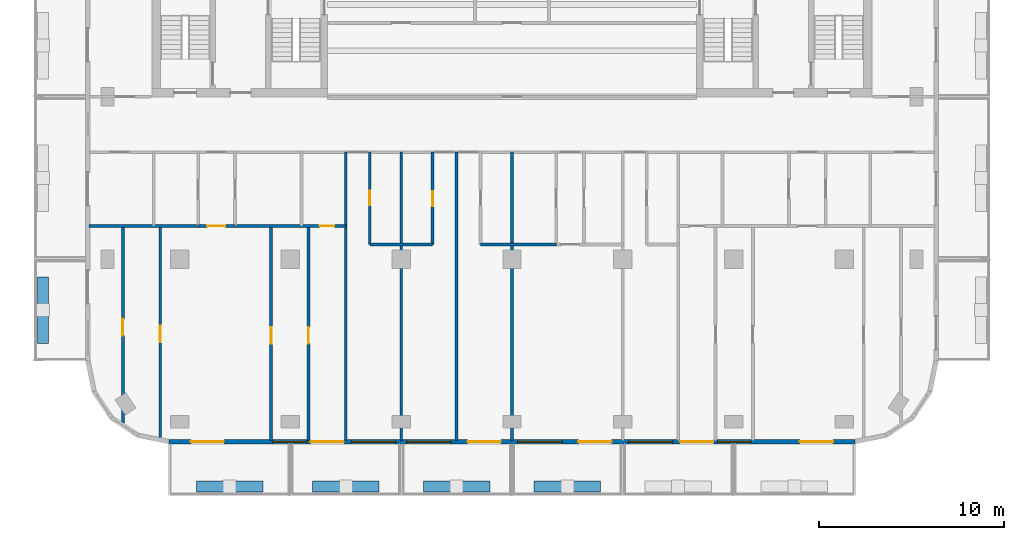
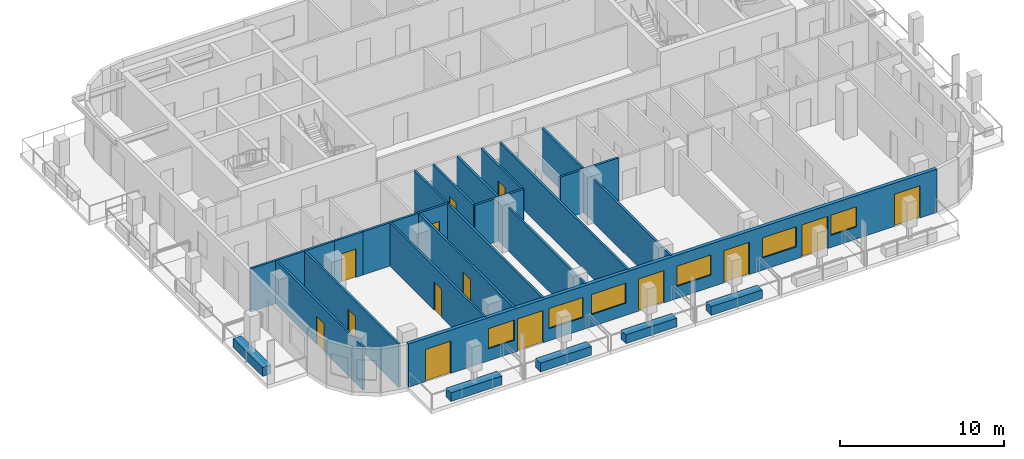
# One storey, part 2 of 11: 21 walls, 14 doors, 6 windows, 20 openings.
"""IFC4 building model written with IfcOpenShell, lengths in metres."""

from ifc_helpers import new_model, si_unit, direction, frame, frame_2d, origin, place, context, subcontext, project, spatial, rectangle, extrude, material, layer, layer_set, type_object, element, fill, save


model = new_model("IFC4")

# Units and contexts
model_context = context("Model", 3, precision=1e-05, world=origin(), true_north=direction((0.0, 1.0)))
body_context = subcontext(model_context, "Body", "Model", "MODEL_VIEW")
ifc_project = project(units=[si_unit("LENGTHUNIT", "METRE"), si_unit("AREAUNIT", "SQUARE_METRE"), si_unit("VOLUMEUNIT", "CUBIC_METRE"), si_unit("PLANEANGLEUNIT", "RADIAN"), si_unit("MASSUNIT", "GRAM", prefix="KILO")], contexts=[model_context])

# Site, building, storey
site_placement = place(None, origin())
site = spatial("IfcSite", under=ifc_project, at=site_placement, CompositionType="ELEMENT")
building_placement = place(site_placement, origin())
building = spatial("IfcBuilding", under=site, at=building_placement, Name="Torana Hotel and Residences", CompositionType="ELEMENT")
storey_placement = place(building_placement, frame((0.0, 0.0, 270.10009765625)))
storey = spatial("IfcBuildingStorey", under=building, at=storey_placement, Name="L71", CompositionType="ELEMENT", Elevation=270.10009765625)

# Wall, openings, doors, windows
ifc_material_1 = material(Name="Black aluminium composite panel", Category="aluminium")
ifc_layer_1 = layer(ifc_material_1, 0.00390625, Name="Cladding", Category="cladding")
ifc_material_2 = material(Name="Ventilated air cavity")
ifc_layer_2 = layer(ifc_material_2, 0.0400390625, Name="Ventilated cavity", Category="cavity")
ifc_material_3 = material(Name="Mineral wool insulation")
ifc_layer_3 = layer(ifc_material_3, 0.090087890625, Name="Insulation", Category="insulation")
ifc_material_4 = material(Name="Steel S280GD", Category="steel")
ifc_layer_4 = layer(ifc_material_4, 0.092041015625, Name="Steel stud frame", Category="structure")
ifc_material_5 = material(Name="Fire rated plasterboard")
ifc_layer_5 = layer(ifc_material_5, 0.011962890625, Name="Inner board", Category="finish")
ifc_layer_6 = layer(ifc_material_5, 0.011962890625, Name="Second board", Category="finish")
ifc_layer_set_1 = layer_set([ifc_layer_1, ifc_layer_2, ifc_layer_3, ifc_layer_4, ifc_layer_5, ifc_layer_6], Name="EW1 EXTERNAL WALL BLACK METAL CLAD 250")
wall_type_1 = type_object("IfcWallType", Name="EW1 EXTERNAL WALL BLACK METAL CLAD 250", PredefinedType="SOLIDWALL", material=ifc_layer_set_1)
wall_1_placement = place(storey_placement, frame((-18.575439453125, -33.675048828125, 0.0), z_axis=(0.0, 0.0, 1.0), x_axis=(1.0, 0.0, 0.0)))
wall_1 = element("IfcWall", 1, at=wall_1_placement, inside=storey, type_object=wall_type_1, Name="External wall L71 e0.14", PredefinedType="SOLIDWALL", context=body_context, shape_type="SweptSolid", body=[
    extrude(rectangle(XDim=37.15087890625, YDim=0.25, at=frame_2d((18.575439453125, 0.0))), origin(), (0.0, 0.0, 1.0), 3.219970703125),
])
opening_1_placement = place(wall_1_placement, frame((1.17529296875, 0.0, 0.0)))
opening_1 = element("IfcOpeningElement", 2, at=opening_1_placement, cuts=wall_1, Name="Opening L71-E01", PredefinedType="OPENING", context=body_context, shape_type="SweptSolid", body=[
    extrude(rectangle(XDim=1.800048828125, YDim=2.39990234375, at=frame_2d((0.89990234375, 1.199951171875))), frame((0.0, 0.135009765625, 0.0), z_axis=(0.0, -1.0, 0.0), x_axis=(1.0, 0.0, 0.0)), (0.0, 0.0, 1.0), 0.27001953125),
])
opening_2_placement = place(wall_1_placement, frame((5.637451171875, 0.0, 0.89990234375)))
opening_2 = element("IfcOpeningElement", 3, at=opening_2_placement, cuts=wall_1, Name="Opening W4", PredefinedType="OPENING", context=body_context, shape_type="SweptSolid", body=[
    extrude(rectangle(XDim=1.800048828125, YDim=1.5, at=frame_2d((0.89990234375, 0.75))), frame((0.0, 0.135009765625, 0.0), z_axis=(0.0, -1.0, 0.0), x_axis=(1.0, 0.0, 0.0)), (0.0, 0.0, 1.0), 0.27001953125),
])
opening_3_placement = place(wall_1_placement, frame((7.663330078125, 0.0, 0.0)))
opening_3 = element("IfcOpeningElement", 4, at=opening_3_placement, cuts=wall_1, Name="Opening L71-E02", PredefinedType="OPENING", context=body_context, shape_type="SweptSolid", body=[
    extrude(rectangle(XDim=1.800048828125, YDim=2.39990234375, at=frame_2d((0.89990234375, 1.199951171875))), frame((0.0, 0.135009765625, 0.0), z_axis=(0.0, -1.0, 0.0), x_axis=(1.0, 0.0, 0.0)), (0.0, 0.0, 1.0), 0.27001953125),
])
opening_4_placement = place(wall_1_placement, frame((9.87548828125, 0.0, 0.89990234375)))
opening_4 = element("IfcOpeningElement", 5, at=opening_4_placement, cuts=wall_1, Name="Opening W3", PredefinedType="OPENING", context=body_context, shape_type="SweptSolid", body=[
    extrude(rectangle(XDim=2.39990234375, YDim=1.5, at=frame_2d((1.199951171875, 0.75))), frame((0.0, 0.135009765625, 0.0), z_axis=(0.0, -1.0, 0.0), x_axis=(1.0, 0.0, 0.0)), (0.0, 0.0, 1.0), 0.27001953125),
])
opening_5_placement = place(wall_1_placement, frame((12.87548828125, 0.0, 0.89990234375)))
opening_5 = element("IfcOpeningElement", 6, at=opening_5_placement, cuts=wall_1, Name="Opening W3", PredefinedType="OPENING", context=body_context, shape_type="SweptSolid", body=[
    extrude(rectangle(XDim=2.39990234375, YDim=1.5, at=frame_2d((1.199951171875, 0.75))), frame((0.0, 0.135009765625, 0.0), z_axis=(0.0, -1.0, 0.0), x_axis=(1.0, 0.0, 0.0)), (0.0, 0.0, 1.0), 0.27001953125),
])
opening_6_placement = place(wall_1_placement, frame((16.17529296875, 0.0, 0.0)))
opening_6 = element("IfcOpeningElement", 7, at=opening_6_placement, cuts=wall_1, Name="Opening L71-E03", PredefinedType="OPENING", context=body_context, shape_type="SweptSolid", body=[
    extrude(rectangle(XDim=1.800048828125, YDim=2.39990234375, at=frame_2d((0.89990234375, 1.199951171875))), frame((0.0, 0.135009765625, 0.0), z_axis=(0.0, -1.0, 0.0), x_axis=(1.0, 0.0, 0.0)), (0.0, 0.0, 1.0), 0.27001953125),
])
opening_7_placement = place(wall_1_placement, frame((18.87548828125, 0.0, 0.89990234375)))
opening_7 = element("IfcOpeningElement", 8, at=opening_7_placement, cuts=wall_1, Name="Opening W3", PredefinedType="OPENING", context=body_context, shape_type="SweptSolid", body=[
    extrude(rectangle(XDim=2.39990234375, YDim=1.5, at=frame_2d((1.199951171875, 0.75))), frame((0.0, 0.135009765625, 0.0), z_axis=(0.0, -1.0, 0.0), x_axis=(1.0, 0.0, 0.0)), (0.0, 0.0, 1.0), 0.27001953125),
])
opening_8_placement = place(wall_1_placement, frame((22.17529296875, 0.0, 0.0)))
opening_8 = element("IfcOpeningElement", 9, at=opening_8_placement, cuts=wall_1, Name="Opening L71-E04", PredefinedType="OPENING", context=body_context, shape_type="SweptSolid", body=[
    extrude(rectangle(XDim=1.800048828125, YDim=2.39990234375, at=frame_2d((0.89990234375, 1.199951171875))), frame((0.0, 0.135009765625, 0.0), z_axis=(0.0, -1.0, 0.0), x_axis=(1.0, 0.0, 0.0)), (0.0, 0.0, 1.0), 0.27001953125),
])
opening_9_placement = place(wall_1_placement, frame((24.87548828125, 0.0, 0.89990234375)))
opening_9 = element("IfcOpeningElement", 10, at=opening_9_placement, cuts=wall_1, Name="Opening W3", PredefinedType="OPENING", context=body_context, shape_type="SweptSolid", body=[
    extrude(rectangle(XDim=2.39990234375, YDim=1.5, at=frame_2d((1.199951171875, 0.75))), frame((0.0, 0.135009765625, 0.0), z_axis=(0.0, -1.0, 0.0), x_axis=(1.0, 0.0, 0.0)), (0.0, 0.0, 1.0), 0.27001953125),
])
opening_10_placement = place(wall_1_placement, frame((27.6875, 0.0, 0.0)))
opening_10 = element("IfcOpeningElement", 11, at=opening_10_placement, cuts=wall_1, Name="Opening L71-E05", PredefinedType="OPENING", context=body_context, shape_type="SweptSolid", body=[
    extrude(rectangle(XDim=1.800048828125, YDim=2.39990234375, at=frame_2d((0.89990234375, 1.199951171875))), frame((0.0, 0.135009765625, 0.0), z_axis=(0.0, -1.0, 0.0), x_axis=(1.0, 0.0, 0.0)), (0.0, 0.0, 1.0), 0.27001953125),
])
opening_11_placement = place(wall_1_placement, frame((29.71337890625, 0.0, 0.89990234375)))
opening_11 = element("IfcOpeningElement", 12, at=opening_11_placement, cuts=wall_1, Name="Opening W4", PredefinedType="OPENING", context=body_context, shape_type="SweptSolid", body=[
    extrude(rectangle(XDim=1.800048828125, YDim=1.5, at=frame_2d((0.89990234375, 0.75))), frame((0.0, 0.135009765625, 0.0), z_axis=(0.0, -1.0, 0.0), x_axis=(1.0, 0.0, 0.0)), (0.0, 0.0, 1.0), 0.27001953125),
])
opening_12_placement = place(wall_1_placement, frame((34.17529296875, 0.0, 0.0)))
opening_12 = element("IfcOpeningElement", 13, at=opening_12_placement, cuts=wall_1, Name="Opening L71-E06", PredefinedType="OPENING", context=body_context, shape_type="SweptSolid", body=[
    extrude(rectangle(XDim=1.800048828125, YDim=2.39990234375, at=frame_2d((0.89990234375, 1.199951171875))), frame((0.0, 0.135009765625, 0.0), z_axis=(0.0, -1.0, 0.0), x_axis=(1.0, 0.0, 0.0)), (0.0, 0.0, 1.0), 0.27001953125),
])
ifc_material_6 = material(Name="Dark glass in black aluminium frame", Category="aluminium")
door_type_1 = type_object("IfcDoorType", Name="DB1 BALCONY DOOR 1800x2400", OperationType="DOUBLE_DOOR_SINGLE_SWING", PredefinedType="DOOR", material=ifc_material_6)
door_1_placement = place(opening_1_placement, origin())
door_1 = element("IfcDoor", 14, at=door_1_placement, inside=storey, type_object=door_type_1, Name="Balcony door L71", OperationType="DOUBLE_DOOR_SINGLE_SWING", OverallHeight=2.39990234375, OverallWidth=1.800048828125, PredefinedType="DOOR", context=body_context, shape_type="SweptSolid", body=[
    extrude(rectangle(XDim=1.800048828125, YDim=2.39990234375, at=frame_2d((0.89990234375, 1.199951171875))), frame((0.0, 0.02490234375, 0.0), z_axis=(0.0, -1.0, 0.0), x_axis=(1.0, 0.0, 0.0)), (0.0, 0.0, 1.0), 0.050048828125),
])
fill(opening_1, door_1)
door_2_placement = place(opening_3_placement, origin())
door_2 = element("IfcDoor", 15, at=door_2_placement, inside=storey, type_object=door_type_1, Name="Balcony door L71", OperationType="DOUBLE_DOOR_SINGLE_SWING", OverallHeight=2.39990234375, OverallWidth=1.800048828125, PredefinedType="DOOR", context=body_context, shape_type="SweptSolid", body=[
    extrude(rectangle(XDim=1.800048828125, YDim=2.39990234375, at=frame_2d((0.89990234375, 1.199951171875))), frame((0.0, 0.02490234375, 0.0), z_axis=(0.0, -1.0, 0.0), x_axis=(1.0, 0.0, 0.0)), (0.0, 0.0, 1.0), 0.050048828125),
])
fill(opening_3, door_2)
door_3_placement = place(opening_6_placement, origin())
door_3 = element("IfcDoor", 16, at=door_3_placement, inside=storey, type_object=door_type_1, Name="Balcony door L71", OperationType="DOUBLE_DOOR_SINGLE_SWING", OverallHeight=2.39990234375, OverallWidth=1.800048828125, PredefinedType="DOOR", context=body_context, shape_type="SweptSolid", body=[
    extrude(rectangle(XDim=1.800048828125, YDim=2.39990234375, at=frame_2d((0.89990234375, 1.199951171875))), frame((0.0, 0.02490234375, 0.0), z_axis=(0.0, -1.0, 0.0), x_axis=(1.0, 0.0, 0.0)), (0.0, 0.0, 1.0), 0.050048828125),
])
fill(opening_6, door_3)
door_4_placement = place(opening_8_placement, origin())
door_4 = element("IfcDoor", 17, at=door_4_placement, inside=storey, type_object=door_type_1, Name="Balcony door L71", OperationType="DOUBLE_DOOR_SINGLE_SWING", OverallHeight=2.39990234375, OverallWidth=1.800048828125, PredefinedType="DOOR", context=body_context, shape_type="SweptSolid", body=[
    extrude(rectangle(XDim=1.800048828125, YDim=2.39990234375, at=frame_2d((0.89990234375, 1.199951171875))), frame((0.0, 0.02490234375, 0.0), z_axis=(0.0, -1.0, 0.0), x_axis=(1.0, 0.0, 0.0)), (0.0, 0.0, 1.0), 0.050048828125),
])
fill(opening_8, door_4)
door_5_placement = place(opening_10_placement, origin())
door_5 = element("IfcDoor", 18, at=door_5_placement, inside=storey, type_object=door_type_1, Name="Balcony door L71", OperationType="DOUBLE_DOOR_SINGLE_SWING", OverallHeight=2.39990234375, OverallWidth=1.800048828125, PredefinedType="DOOR", context=body_context, shape_type="SweptSolid", body=[
    extrude(rectangle(XDim=1.800048828125, YDim=2.39990234375, at=frame_2d((0.89990234375, 1.199951171875))), frame((0.0, 0.02490234375, 0.0), z_axis=(0.0, -1.0, 0.0), x_axis=(1.0, 0.0, 0.0)), (0.0, 0.0, 1.0), 0.050048828125),
])
fill(opening_10, door_5)
door_6_placement = place(opening_12_placement, origin())
door_6 = element("IfcDoor", 19, at=door_6_placement, inside=storey, type_object=door_type_1, Name="Balcony door L71", OperationType="DOUBLE_DOOR_SINGLE_SWING", OverallHeight=2.39990234375, OverallWidth=1.800048828125, PredefinedType="DOOR", context=body_context, shape_type="SweptSolid", body=[
    extrude(rectangle(XDim=1.800048828125, YDim=2.39990234375, at=frame_2d((0.89990234375, 1.199951171875))), frame((0.0, 0.02490234375, 0.0), z_axis=(0.0, -1.0, 0.0), x_axis=(1.0, 0.0, 0.0)), (0.0, 0.0, 1.0), 0.050048828125),
])
fill(opening_12, door_6)
ifc_material_7 = material(Name="Dark glass in black aluminium frame", Category="aluminium")
window_type_1 = type_object("IfcWindowType", Name="W3 RESIDENCE WINDOW 2400x1500", PartitioningType="SINGLE_PANEL", PredefinedType="WINDOW", material=ifc_material_7)
window_1_placement = place(opening_4_placement, origin())
window_1 = element("IfcWindow", 20, at=window_1_placement, inside=storey, type_object=window_type_1, Name="Window L71", OverallHeight=1.5, OverallWidth=2.39990234375, PartitioningType="SINGLE_PANEL", PredefinedType="WINDOW", context=body_context, shape_type="SweptSolid", body=[
    extrude(rectangle(XDim=2.39990234375, YDim=1.5, at=frame_2d((1.199951171875, 0.75))), frame((0.0, 0.030029296875, 0.0), z_axis=(0.0, -1.0, 0.0), x_axis=(1.0, 0.0, 0.0)), (0.0, 0.0, 1.0), 0.06005859375),
])
fill(opening_4, window_1)
window_2_placement = place(opening_5_placement, origin())
window_2 = element("IfcWindow", 21, at=window_2_placement, inside=storey, type_object=window_type_1, Name="Window L71", OverallHeight=1.5, OverallWidth=2.39990234375, PartitioningType="SINGLE_PANEL", PredefinedType="WINDOW", context=body_context, shape_type="SweptSolid", body=[
    extrude(rectangle(XDim=2.39990234375, YDim=1.5, at=frame_2d((1.199951171875, 0.75))), frame((0.0, 0.030029296875, 0.0), z_axis=(0.0, -1.0, 0.0), x_axis=(1.0, 0.0, 0.0)), (0.0, 0.0, 1.0), 0.06005859375),
])
fill(opening_5, window_2)
window_3_placement = place(opening_7_placement, origin())
window_3 = element("IfcWindow", 22, at=window_3_placement, inside=storey, type_object=window_type_1, Name="Window L71", OverallHeight=1.5, OverallWidth=2.39990234375, PartitioningType="SINGLE_PANEL", PredefinedType="WINDOW", context=body_context, shape_type="SweptSolid", body=[
    extrude(rectangle(XDim=2.39990234375, YDim=1.5, at=frame_2d((1.199951171875, 0.75))), frame((0.0, 0.030029296875, 0.0), z_axis=(0.0, -1.0, 0.0), x_axis=(1.0, 0.0, 0.0)), (0.0, 0.0, 1.0), 0.06005859375),
])
fill(opening_7, window_3)
window_4_placement = place(opening_9_placement, origin())
window_4 = element("IfcWindow", 23, at=window_4_placement, inside=storey, type_object=window_type_1, Name="Window L71", OverallHeight=1.5, OverallWidth=2.39990234375, PartitioningType="SINGLE_PANEL", PredefinedType="WINDOW", context=body_context, shape_type="SweptSolid", body=[
    extrude(rectangle(XDim=2.39990234375, YDim=1.5, at=frame_2d((1.199951171875, 0.75))), frame((0.0, 0.030029296875, 0.0), z_axis=(0.0, -1.0, 0.0), x_axis=(1.0, 0.0, 0.0)), (0.0, 0.0, 1.0), 0.06005859375),
])
fill(opening_9, window_4)
ifc_material_8 = material(Name="Dark glass in black aluminium frame", Category="aluminium")
window_type_2 = type_object("IfcWindowType", Name="W4 RESIDENCE WINDOW NARROW 1800x1500", PartitioningType="SINGLE_PANEL", PredefinedType="WINDOW", material=ifc_material_8)
window_5_placement = place(opening_2_placement, origin())
window_5 = element("IfcWindow", 24, at=window_5_placement, inside=storey, type_object=window_type_2, Name="Window L71", OverallHeight=1.5, OverallWidth=1.800048828125, PartitioningType="SINGLE_PANEL", PredefinedType="WINDOW", context=body_context, shape_type="SweptSolid", body=[
    extrude(rectangle(XDim=1.800048828125, YDim=1.5, at=frame_2d((0.89990234375, 0.75))), frame((0.0, 0.030029296875, 0.0), z_axis=(0.0, -1.0, 0.0), x_axis=(1.0, 0.0, 0.0)), (0.0, 0.0, 1.0), 0.06005859375),
])
fill(opening_2, window_5)
window_6_placement = place(opening_11_placement, origin())
window_6 = element("IfcWindow", 25, at=window_6_placement, inside=storey, type_object=window_type_2, Name="Window L71", OverallHeight=1.5, OverallWidth=1.800048828125, PartitioningType="SINGLE_PANEL", PredefinedType="WINDOW", context=body_context, shape_type="SweptSolid", body=[
    extrude(rectangle(XDim=1.800048828125, YDim=1.5, at=frame_2d((0.89990234375, 0.75))), frame((0.0, 0.030029296875, 0.0), z_axis=(0.0, -1.0, 0.0), x_axis=(1.0, 0.0, 0.0)), (0.0, 0.0, 1.0), 0.06005859375),
])
fill(opening_11, window_6)

# Wall, opening, door
ifc_material_9 = material(Name="Gypsum plaster")
ifc_layer_7 = layer(ifc_material_9, 0.014892578125, Name="Plaster", Category="finish")
ifc_material_10 = material(Name="Concrete blockwork", Category="masonry")
ifc_layer_8 = layer(ifc_material_10, 0.1201171875, Name="Blockwork", Category="structure")
ifc_layer_9 = layer(ifc_material_9, 0.014892578125, Name="Plaster", Category="finish")
ifc_layer_set_2 = layer_set([ifc_layer_7, ifc_layer_8, ifc_layer_9], Name="FIRE PARTITION 150 BLOCKWORK")
wall_type_2 = type_object("IfcWallType", Name="FIRE PARTITION 150 BLOCKWORK", PredefinedType="PARTITIONING", material=ifc_layer_set_2)
wall_2_placement = place(storey_placement, frame((-17.0, -22.0, 0.0), z_axis=(0.0, 0.0, 1.0), x_axis=(1.0, 0.0, 0.0)))
wall_2 = element("IfcWall", 26, at=wall_2_placement, inside=storey, type_object=wall_type_2, Name="Partition L71", PredefinedType="PARTITIONING", context=body_context, shape_type="SweptSolid", body=[
    extrude(rectangle(XDim=2.0, YDim=0.14990234375, at=frame_2d((1.0, 0.0))), origin(), (0.0, 0.0, 1.0), 3.219970703125),
])
opening_13_placement = place(wall_2_placement, frame((0.47998046875, 0.0, 0.0)))
opening_13 = element("IfcOpeningElement", 27, at=opening_13_placement, cuts=wall_2, Name="Opening L71-48", PredefinedType="OPENING", context=body_context, shape_type="SweptSolid", body=[
    extrude(rectangle(XDim=1.0, YDim=2.10009765625, at=frame_2d((0.5, 1.050048828125))), frame((0.0, 0.0849609375, 0.0), z_axis=(0.0, -1.0, 0.0), x_axis=(1.0, 0.0, 0.0)), (0.0, 0.0, 1.0), 0.169921875),
])
ifc_material_11 = material(Name="Steel S235", Category="steel")
door_type_2 = type_object("IfcDoorType", Name="ENTRY FIRE DOOR D6 1000x2100", OperationType="SINGLE_SWING_LEFT", PredefinedType="DOOR", material=ifc_material_11)
door_7_placement = place(opening_13_placement, frame((0.5, 0.0, 0.0), z_axis=(0.0, 0.0, 1.0), x_axis=(-1.0, 0.0, 0.0)))
door_7 = element("IfcDoor", 28, at=door_7_placement, inside=storey, type_object=door_type_2, Name="Door L71", OperationType="SINGLE_SWING_LEFT", OverallHeight=2.10009765625, OverallWidth=1.0, PredefinedType="DOOR", context=body_context, shape_type="SweptSolid", body=[
    extrude(rectangle(XDim=1.0, YDim=2.10009765625, at=frame_2d((0.0, 1.050048828125))), frame((0.0, -0.02490234375, 0.0), z_axis=(0.0, 1.0, 0.0), x_axis=(-1.0, 0.0, 0.0)), (0.0, 0.0, 1.0), 0.050048828125),
])
fill(opening_13, door_7)

# Walls
ifc_material_12 = material(Name="Gypsum plasterboard")
ifc_layer_10 = layer(ifc_material_12, 0.012451171875, Name="Plasterboard", Category="finish")
ifc_layer_11 = layer(ifc_material_12, 0.012451171875, Name="Plasterboard", Category="finish")
ifc_layer_12 = layer(ifc_material_4, 0.10009765625, Name="Steel studs with mineral wool", Category="insulation")
ifc_layer_13 = layer(ifc_material_12, 0.012451171875, Name="Plasterboard", Category="finish")
ifc_layer_14 = layer(ifc_material_12, 0.012451171875, Name="Plasterboard", Category="finish")
ifc_layer_set_3 = layer_set([ifc_layer_10, ifc_layer_11, ifc_layer_12, ifc_layer_13, ifc_layer_14], Name="PARTITION 150 PLASTERBOARD")
wall_type_3 = type_object("IfcWallType", Name="PARTITION 150 PLASTERBOARD", PredefinedType="PARTITIONING", material=ifc_layer_set_3)
for number, where, z_axis, x_axis, name in (
    (29, (0.0, -33.6201171875, 0.0), (0.0, 0.0, 1.0), (0.0, 1.0, 0.0), "Partition L71"),
    (30, (-3.0, -33.6201171875, 0.0), (0.0, 0.0, 1.0), (0.0, 1.0, 0.0), "Partition L71"),
):
    element("IfcWall", number, at=place(storey_placement, frame(where, z_axis=z_axis, x_axis=x_axis)), inside=storey, type_object=wall_type_3, Name=name, PredefinedType="PARTITIONING", context=body_context, shape_type="SweptSolid", body=[
        extrude(rectangle(XDim=15.6201171875, YDim=0.14990234375, at=frame_2d((7.81005859375, 0.0))), origin(), (0.0, 0.0, 1.0), 3.219970703125),
    ])

# Wall, opening, door
wall_3_placement = place(storey_placement, frame((-4.300048828125, -23.0, 0.0), z_axis=(0.0, 0.0, 1.0), x_axis=(0.0, 1.0, 0.0)))
wall_3 = element("IfcWall", 31, at=wall_3_placement, inside=storey, type_object=wall_type_3, Name="Partition L71", PredefinedType="PARTITIONING", context=body_context, shape_type="SweptSolid", body=[
    extrude(rectangle(XDim=5.0, YDim=0.14990234375, at=frame_2d((2.5, 0.0))), origin(), (0.0, 0.0, 1.0), 3.219970703125),
])
opening_14_placement = place(wall_3_placement, frame((2.080078125, 0.0, 0.0)))
opening_14 = element("IfcOpeningElement", 32, at=opening_14_placement, cuts=wall_3, Name="Opening L71-39", PredefinedType="OPENING", context=body_context, shape_type="SweptSolid", body=[
    extrude(rectangle(XDim=0.800048828125, YDim=2.10009765625, at=frame_2d((0.39990234375, 1.050048828125))), frame((0.0, 0.0849609375, 0.0), z_axis=(0.0, -1.0, 0.0), x_axis=(1.0, 0.0, 0.0)), (0.0, 0.0, 1.0), 0.169921875),
])
ifc_material_13 = material(Name="Timber door, painted", Category="wood")
door_type_3 = type_object("IfcDoorType", Name="BATH DOOR D13 800x2100", OperationType="SINGLE_SWING_LEFT", PredefinedType="DOOR", material=ifc_material_13)
door_8_placement = place(opening_14_placement, origin())
door_8 = element("IfcDoor", 33, at=door_8_placement, inside=storey, type_object=door_type_3, Name="Door L71", OperationType="SINGLE_SWING_RIGHT", OverallHeight=2.10009765625, OverallWidth=0.800048828125, PredefinedType="DOOR", context=body_context, shape_type="SweptSolid", body=[
    extrude(rectangle(XDim=0.800048828125, YDim=2.10009765625, at=frame_2d((0.39990234375, 1.050048828125))), frame((0.0, 0.02490234375, 0.0), z_axis=(0.0, -1.0, 0.0), x_axis=(1.0, 0.0, 0.0)), (0.0, 0.0, 1.0), 0.050048828125),
])
fill(opening_14, door_8)

# Wall
wall_4_placement = place(storey_placement, frame((-6.0, -33.6201171875, 0.0), z_axis=(0.0, 0.0, 1.0), x_axis=(0.0, 1.0, 0.0)))
element("IfcWall", 34, at=wall_4_placement, inside=storey, type_object=wall_type_3, Name="Partition L71", PredefinedType="PARTITIONING", context=body_context, shape_type="SweptSolid", body=[
    extrude(rectangle(XDim=15.6201171875, YDim=0.14990234375, at=frame_2d((7.81005859375, 0.0))), origin(), (0.0, 0.0, 1.0), 3.219970703125),
])

# Wall, opening, door
wall_5_placement = place(storey_placement, frame((-7.699951171875, -23.0, 0.0), z_axis=(0.0, 0.0, 1.0), x_axis=(0.0, 1.0, 0.0)))
wall_5 = element("IfcWall", 35, at=wall_5_placement, inside=storey, type_object=wall_type_3, Name="Partition L71", PredefinedType="PARTITIONING", context=body_context, shape_type="SweptSolid", body=[
    extrude(rectangle(XDim=5.0, YDim=0.14990234375, at=frame_2d((2.5, 0.0))), origin(), (0.0, 0.0, 1.0), 3.219970703125),
])
opening_15_placement = place(wall_5_placement, frame((2.1201171875, 0.0, 0.0)))
opening_15 = element("IfcOpeningElement", 36, at=opening_15_placement, cuts=wall_5, Name="Opening L71-38", PredefinedType="OPENING", context=body_context, shape_type="SweptSolid", body=[
    extrude(rectangle(XDim=0.800048828125, YDim=2.10009765625, at=frame_2d((0.39990234375, 1.050048828125))), frame((0.0, 0.0849609375, 0.0), z_axis=(0.0, -1.0, 0.0), x_axis=(1.0, 0.0, 0.0)), (0.0, 0.0, 1.0), 0.169921875),
])
door_9_placement = place(opening_15_placement, origin())
door_9 = element("IfcDoor", 37, at=door_9_placement, inside=storey, type_object=door_type_3, Name="Door L71", OperationType="SINGLE_SWING_RIGHT", OverallHeight=2.10009765625, OverallWidth=0.800048828125, PredefinedType="DOOR", context=body_context, shape_type="SweptSolid", body=[
    extrude(rectangle(XDim=0.800048828125, YDim=2.10009765625, at=frame_2d((0.39990234375, 1.050048828125))), frame((0.0, 0.02490234375, 0.0), z_axis=(0.0, -1.0, 0.0), x_axis=(1.0, 0.0, 0.0)), (0.0, 0.0, 1.0), 0.050048828125),
])
fill(opening_15, door_9)

# Wall
wall_6_placement = place(storey_placement, frame((-9.0, -33.6201171875, 0.0), z_axis=(0.0, 0.0, 1.0), x_axis=(0.0, 1.0, 0.0)))
element("IfcWall", 38, at=wall_6_placement, inside=storey, type_object=wall_type_3, Name="Partition L71", PredefinedType="PARTITIONING", context=body_context, shape_type="SweptSolid", body=[
    extrude(rectangle(XDim=15.6201171875, YDim=0.14990234375, at=frame_2d((7.81005859375, 0.0))), origin(), (0.0, 0.0, 1.0), 3.219970703125),
])

# Wall, opening, door
wall_7_placement = place(storey_placement, frame((-11.02490234375, -33.6201171875, 0.0), z_axis=(0.0, 0.0, 1.0), x_axis=(0.0, 1.0, 0.0)))
wall_7 = element("IfcWall", 39, at=wall_7_placement, inside=storey, type_object=wall_type_3, Name="Partition L71", PredefinedType="PARTITIONING", context=body_context, shape_type="SweptSolid", body=[
    extrude(rectangle(XDim=11.6201171875, YDim=0.14990234375, at=frame_2d((5.81005859375, 0.0))), origin(), (0.0, 0.0, 1.0), 3.219970703125),
])
opening_16_placement = place(wall_7_placement, frame((5.25, 0.0, 0.0)))
opening_16 = element("IfcOpeningElement", 40, at=opening_16_placement, cuts=wall_7, Name="Opening L71-51", PredefinedType="OPENING", context=body_context, shape_type="SweptSolid", body=[
    extrude(rectangle(XDim=0.89990234375, YDim=2.10009765625, at=frame_2d((0.449951171875, 1.050048828125))), frame((0.0, 0.0849609375, 0.0), z_axis=(0.0, -1.0, 0.0), x_axis=(1.0, 0.0, 0.0)), (0.0, 0.0, 1.0), 0.169921875),
])
ifc_material_14 = material(Name="Timber door, oiled ash", Category="wood")
door_type_4 = type_object("IfcDoorType", Name="ROOM DOOR D7 900x2100", OperationType="SINGLE_SWING_LEFT", PredefinedType="DOOR", material=ifc_material_14)
door_10_placement = place(opening_16_placement, origin())
door_10 = element("IfcDoor", 41, at=door_10_placement, inside=storey, type_object=door_type_4, Name="Door L71", OperationType="SINGLE_SWING_RIGHT", OverallHeight=2.10009765625, OverallWidth=0.89990234375, PredefinedType="DOOR", context=body_context, shape_type="SweptSolid", body=[
    extrude(rectangle(XDim=0.89990234375, YDim=2.10009765625, at=frame_2d((0.449951171875, 1.050048828125))), frame((0.0, 0.02490234375, 0.0), z_axis=(0.0, -1.0, 0.0), x_axis=(1.0, 0.0, 0.0)), (0.0, 0.0, 1.0), 0.050048828125),
])
fill(opening_16, door_10)

wall_8_placement = place(storey_placement, frame((-13.050048828125, -33.6201171875, 0.0), z_axis=(0.0, 0.0, 1.0), x_axis=(0.0, 1.0, 0.0)))
wall_8 = element("IfcWall", 42, at=wall_8_placement, inside=storey, type_object=wall_type_3, Name="Partition L71", PredefinedType="PARTITIONING", context=body_context, shape_type="SweptSolid", body=[
    extrude(rectangle(XDim=11.6201171875, YDim=0.14990234375, at=frame_2d((5.81005859375, 0.0))), origin(), (0.0, 0.0, 1.0), 3.219970703125),
])
opening_17_placement = place(wall_8_placement, frame((5.25, 0.0, 0.0)))
opening_17 = element("IfcOpeningElement", 43, at=opening_17_placement, cuts=wall_8, Name="Opening L71-49", PredefinedType="OPENING", context=body_context, shape_type="SweptSolid", body=[
    extrude(rectangle(XDim=0.89990234375, YDim=2.10009765625, at=frame_2d((0.449951171875, 1.050048828125))), frame((0.0, 0.0849609375, 0.0), z_axis=(0.0, -1.0, 0.0), x_axis=(1.0, 0.0, 0.0)), (0.0, 0.0, 1.0), 0.169921875),
])
door_11_placement = place(opening_17_placement, origin())
door_11 = element("IfcDoor", 44, at=door_11_placement, inside=storey, type_object=door_type_4, Name="Door L71", OperationType="SINGLE_SWING_RIGHT", OverallHeight=2.10009765625, OverallWidth=0.89990234375, PredefinedType="DOOR", context=body_context, shape_type="SweptSolid", body=[
    extrude(rectangle(XDim=0.89990234375, YDim=2.10009765625, at=frame_2d((0.449951171875, 1.050048828125))), frame((0.0, 0.02490234375, 0.0), z_axis=(0.0, -1.0, 0.0), x_axis=(1.0, 0.0, 0.0)), (0.0, 0.0, 1.0), 0.050048828125),
])
fill(opening_17, door_11)

wall_9_placement = place(storey_placement, frame((-19.050048828125, -33.527099609375, 0.0), z_axis=(0.0, 0.0, 1.0), x_axis=(0.0, 1.0, 0.0)))
wall_9 = element("IfcWall", 45, at=wall_9_placement, inside=storey, type_object=wall_type_3, Name="Partition L71", PredefinedType="PARTITIONING", context=body_context, shape_type="SweptSolid", body=[
    extrude(rectangle(XDim=11.527099609375, YDim=0.14990234375, at=frame_2d((5.763671875, 0.0))), origin(), (0.0, 0.0, 1.0), 3.219970703125),
])
opening_18_placement = place(wall_9_placement, frame((5.236083984375, 0.0, 0.0)))
opening_18 = element("IfcOpeningElement", 46, at=opening_18_placement, cuts=wall_9, Name="Opening L71-50", PredefinedType="OPENING", context=body_context, shape_type="SweptSolid", body=[
    extrude(rectangle(XDim=0.89990234375, YDim=2.10009765625, at=frame_2d((0.449951171875, 1.050048828125))), frame((0.0, 0.0849609375, 0.0), z_axis=(0.0, -1.0, 0.0), x_axis=(1.0, 0.0, 0.0)), (0.0, 0.0, 1.0), 0.169921875),
])
door_12_placement = place(opening_18_placement, origin())
door_12 = element("IfcDoor", 47, at=door_12_placement, inside=storey, type_object=door_type_4, Name="Door L71", OperationType="SINGLE_SWING_RIGHT", OverallHeight=2.10009765625, OverallWidth=0.89990234375, PredefinedType="DOOR", context=body_context, shape_type="SweptSolid", body=[
    extrude(rectangle(XDim=0.89990234375, YDim=2.10009765625, at=frame_2d((0.449951171875, 1.050048828125))), frame((0.0, 0.02490234375, 0.0), z_axis=(0.0, -1.0, 0.0), x_axis=(1.0, 0.0, 0.0)), (0.0, 0.0, 1.0), 0.050048828125),
])
fill(opening_18, door_12)

wall_10_placement = place(storey_placement, frame((-21.074951171875, -32.665771484375, 0.0), z_axis=(0.0, 0.0, 1.0), x_axis=(0.0, 1.0, 0.0)))
wall_10 = element("IfcWall", 48, at=wall_10_placement, inside=storey, type_object=wall_type_3, Name="Partition L71", PredefinedType="PARTITIONING", context=body_context, shape_type="SweptSolid", body=[
    extrude(rectangle(XDim=10.665771484375, YDim=0.14990234375, at=frame_2d((5.3330078125, 0.0))), origin(), (0.0, 0.0, 1.0), 3.219970703125),
])
opening_19_placement = place(wall_10_placement, frame((4.731689453125, 0.0, 0.0)))
opening_19 = element("IfcOpeningElement", 49, at=opening_19_placement, cuts=wall_10, Name="Opening L71-52", PredefinedType="OPENING", context=body_context, shape_type="SweptSolid", body=[
    extrude(rectangle(XDim=0.89990234375, YDim=2.10009765625, at=frame_2d((0.449951171875, 1.050048828125))), frame((0.0, 0.0849609375, 0.0), z_axis=(0.0, -1.0, 0.0), x_axis=(1.0, 0.0, 0.0)), (0.0, 0.0, 1.0), 0.169921875),
])
door_13_placement = place(opening_19_placement, origin())
door_13 = element("IfcDoor", 50, at=door_13_placement, inside=storey, type_object=door_type_4, Name="Door L71", OperationType="SINGLE_SWING_RIGHT", OverallHeight=2.10009765625, OverallWidth=0.89990234375, PredefinedType="DOOR", context=body_context, shape_type="SweptSolid", body=[
    extrude(rectangle(XDim=0.89990234375, YDim=2.10009765625, at=frame_2d((0.449951171875, 1.050048828125))), frame((0.0, 0.02490234375, 0.0), z_axis=(0.0, -1.0, 0.0), x_axis=(1.0, 0.0, 0.0)), (0.0, 0.0, 1.0), 0.050048828125),
])
fill(opening_19, door_13)

# Walls
wall_11_placement = place(storey_placement, frame((-7.699951171875, -23.0, 0.0), z_axis=(0.0, 0.0, 1.0), x_axis=(1.0, 0.0, 0.0)))
element("IfcWall", 51, at=wall_11_placement, inside=storey, type_object=wall_type_3, Name="Partition L71", PredefinedType="PARTITIONING", context=body_context, shape_type="SweptSolid", body=[
    extrude(rectangle(XDim=3.39990234375, YDim=0.14990234375, at=frame_2d((1.699951171875, 0.0))), origin(), (0.0, 0.0, 1.0), 3.219970703125),
])
wall_12_placement = place(storey_placement, frame((-1.699951171875, -23.0, 0.0), z_axis=(0.0, 0.0, 1.0), x_axis=(1.0, 0.0, 0.0)))
element("IfcWall", 52, at=wall_12_placement, inside=storey, type_object=wall_type_3, Name="Partition L71", PredefinedType="PARTITIONING", context=body_context, shape_type="SweptSolid", body=[
    extrude(rectangle(XDim=4.099853515625, YDim=0.14990234375, at=frame_2d((2.0498046875, 0.0))), origin(), (0.0, 0.0, 1.0), 3.219970703125),
])
wall_13_placement = place(storey_placement, frame((-22.919921875, -22.0, 0.0), z_axis=(0.0, 0.0, 1.0), x_axis=(1.0, 0.0, 0.0)))
element("IfcWall", 53, at=wall_13_placement, inside=storey, type_object=wall_type_3, Name="Partition L71", PredefinedType="PARTITIONING", context=body_context, shape_type="SweptSolid", body=[
    extrude(rectangle(XDim=5.919921875, YDim=0.14990234375, at=frame_2d((2.9599609375, 0.0))), origin(), (0.0, 0.0, 1.0), 3.219970703125),
])

# Wall, opening, door
wall_14_placement = place(storey_placement, frame((-15.0, -22.0, 0.0), z_axis=(0.0, 0.0, 1.0), x_axis=(1.0, 0.0, 0.0)))
wall_14 = element("IfcWall", 54, at=wall_14_placement, inside=storey, type_object=wall_type_3, Name="Partition L71", PredefinedType="PARTITIONING", context=body_context, shape_type="SweptSolid", body=[
    extrude(rectangle(XDim=6.0, YDim=0.14990234375, at=frame_2d((3.0, 0.0))), origin(), (0.0, 0.0, 1.0), 3.219970703125),
])
opening_20_placement = place(wall_14_placement, frame((4.580078125, 0.0, 0.0)))
opening_20 = element("IfcOpeningElement", 55, at=opening_20_placement, cuts=wall_14, Name="Opening L71-45", PredefinedType="OPENING", context=body_context, shape_type="SweptSolid", body=[
    extrude(rectangle(XDim=0.800048828125, YDim=2.10009765625, at=frame_2d((0.39990234375, 1.050048828125))), frame((0.0, 0.0849609375, 0.0), z_axis=(0.0, -1.0, 0.0), x_axis=(1.0, 0.0, 0.0)), (0.0, 0.0, 1.0), 0.169921875),
])
door_14_placement = place(opening_20_placement, origin())
door_14 = element("IfcDoor", 56, at=door_14_placement, inside=storey, type_object=door_type_3, Name="Door L71", OperationType="SINGLE_SWING_LEFT", OverallHeight=2.10009765625, OverallWidth=0.800048828125, PredefinedType="DOOR", context=body_context, shape_type="SweptSolid", body=[
    extrude(rectangle(XDim=0.800048828125, YDim=2.10009765625, at=frame_2d((0.39990234375, 1.050048828125))), frame((0.0, 0.02490234375, 0.0), z_axis=(0.0, -1.0, 0.0), x_axis=(1.0, 0.0, 0.0)), (0.0, 0.0, 1.0), 0.050048828125),
])
fill(opening_20, door_14)

# Walls
ifc_material_15 = material(Name="Concrete C40/50 precast", Category="concrete")
ifc_layer_15 = layer(ifc_material_15, 0.10009765625, Name="Planter shell", Category="structure")
ifc_material_16 = material(Name="Root resistant membrane")
ifc_layer_16 = layer(ifc_material_16, 0.00390625, Name="Waterproofing membrane", Category="membrane")
ifc_material_17 = material(Name="Drainage board with filter fleece")
ifc_layer_17 = layer(ifc_material_17, 0.02001953125, Name="Drainage board", Category="drainage")
ifc_material_18 = material(Name="Growing medium")
ifc_layer_18 = layer(ifc_material_18, 0.47607421875, Name="Planting substrate", Category="soil")
ifc_layer_set_4 = layer_set([ifc_layer_15, ifc_layer_16, ifc_layer_17, ifc_layer_18], Name="PL1 BALCONY PLANTER 600")
wall_type_4 = type_object("IfcWallType", Name="PL1 BALCONY PLANTER 600", PredefinedType="USERDEFINED", material=ifc_layer_set_4)
for number, where, z_axis, x_axis, name in (
    (57, (-13.5, -36.10009765625, 0.0), (0.0, 0.0, 1.0), (-1.0, 0.0, 0.0), "Planter 01"),
    (58, (-7.199951171875, -36.10009765625, 0.0), (0.0, 0.0, 1.0), (-1.0, 0.0, 0.0), "Planter 02"),
    (59, (-1.199951171875, -36.10009765625, 0.0), (0.0, 0.0, 1.0), (-1.0, 0.0, 0.0), "Planter 03"),
    (60, (4.800048828125, -36.10009765625, 0.0), (0.0, 0.0, 1.0), (-1.0, 0.0, 0.0), "Planter 04"),
    (61, (-25.39990234375, -28.35009765625, 0.0), (0.0, 0.0, 1.0), (0.0, 1.0, 0.0), "Planter 07"),
):
    element("IfcWall", number, at=place(storey_placement, frame(where, z_axis=z_axis, x_axis=x_axis)), inside=storey, type_object=wall_type_4, Name=name, ObjectType="PLANTER", PredefinedType="USERDEFINED", context=body_context, shape_type="SweptSolid", body=[
        extrude(rectangle(XDim=3.60009765625, YDim=0.60009765625, at=frame_2d((1.800048828125, 0.0))), origin(), (0.0, 0.0, 1.0), 0.64990234375),
    ])

save(model, "model.ifc")
